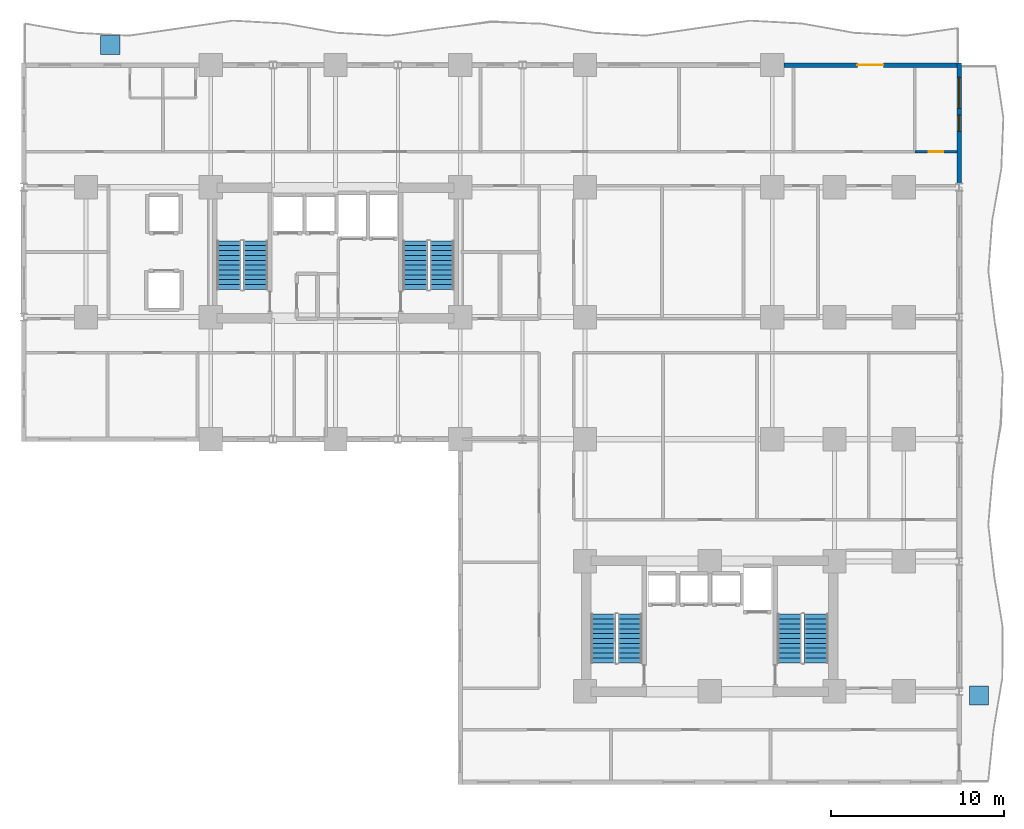
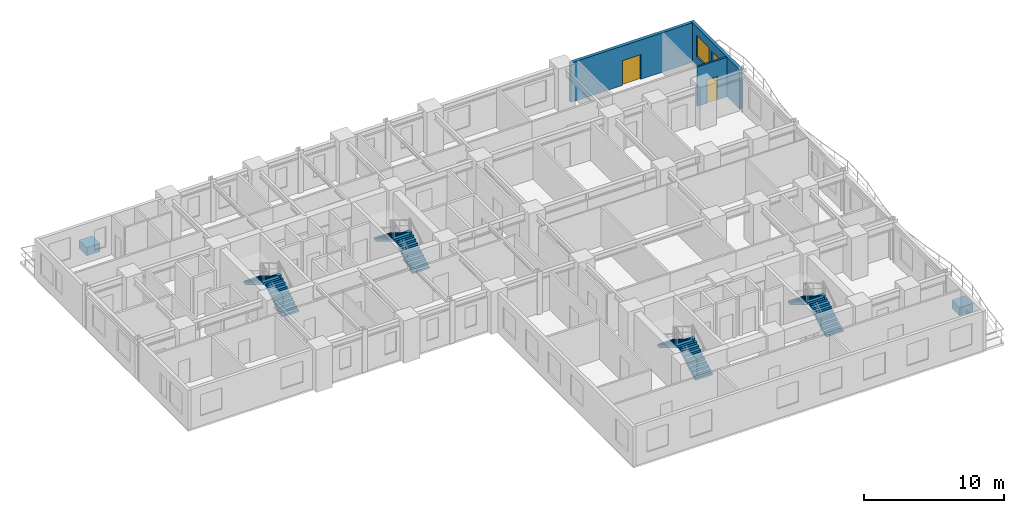
# One storey, part 8 of 11: 8 stair flights, 3 walls, 2 discrete accessories, 2 doors, 2 windows, 4 openings, 4 elements without a shape of their own.
"""IFC4 building model written with IfcOpenShell, lengths in metres."""

from ifc_helpers import new_model, si_unit, direction, frame, frame_2d, origin, origin_2d, place, context, subcontext, project, spatial, polyline, rectangle, outline, extrude, source, transform, mapped, material, layer, layer_set, type_object, element, fill, aggregate, save


model = new_model("IFC4")

# Units and contexts
model_context = context("Model", 3, precision=1e-05, world=origin(), true_north=direction((0.0, 1.0)))
body_context = subcontext(model_context, "Body", "Model", "MODEL_VIEW")
ifc_project = project(units=[si_unit("LENGTHUNIT", "METRE"), si_unit("AREAUNIT", "SQUARE_METRE"), si_unit("VOLUMEUNIT", "CUBIC_METRE"), si_unit("PLANEANGLEUNIT", "RADIAN"), si_unit("MASSUNIT", "GRAM", prefix="KILO")], contexts=[model_context])

# Site, building, storey
site_placement = place(None, origin())
site = spatial("IfcSite", under=ifc_project, at=site_placement, CompositionType="ELEMENT")
building_placement = place(site_placement, origin())
building = spatial("IfcBuilding", under=site, at=building_placement, Name="Kaliganga Portal Commons", CompositionType="ELEMENT")
storey_placement = place(building_placement, frame((0.0, 0.0, 40.10009765625)))
storey = spatial("IfcBuildingStorey", under=building, at=storey_placement, Name="L09", CompositionType="ELEMENT", Elevation=40.10009765625)

# Wall, openings, windows
ifc_material_1 = material(Name="Insulated Aluminium-Clad Spandrel Assembly", Category="aluminium")
ifc_layer_1 = layer(ifc_material_1, 0.260009765625)
ifc_layer_set_1 = layer_set([ifc_layer_1], Name="Insulated Aluminium-Clad Spandrel Assembly")
wall_type_1 = type_object("IfcWallType", Name="WL-EXT-SPAND-260", PredefinedType="STANDARD", material=ifc_layer_set_1)
wall_1_placement = place(storey_placement, frame((57.60009765625, 43.330078125, 0.0), z_axis=(0.0, 0.0, 1.0), x_axis=(0.0, -1.0, 0.0)))
wall_1 = element("IfcWall", 1, at=wall_1_placement, inside=storey, type_object=wall_type_1, Name="Exterior Envelope Wall L09 P1-E01-S6", PredefinedType="STANDARD", context=body_context, shape_type="SweptSolid", body=[
    extrude(rectangle(XDim=6.9560546875, YDim=0.260009765625, at=frame_2d((3.47802734375, 0.0))), origin(), (0.0, 0.0, 1.0), 3.429931640625),
])
opening_1_placement = place(wall_1_placement, frame((0.839111328125, 0.0, 0.85009765625)))
opening_1 = element("IfcOpeningElement", 2, at=opening_1_placement, cuts=wall_1, Name="Opening W-01", PredefinedType="OPENING", context=body_context, shape_type="SweptSolid", body=[
    extrude(rectangle(XDim=1.800048828125, YDim=1.85009765625, at=frame_2d((0.89990234375, 0.925048828125))), frame((0.0, 0.14013671875, 0.0), z_axis=(0.0, -1.0, 0.0), x_axis=(1.0, 0.0, 0.0)), (0.0, 0.0, 1.0), 0.280029296875),
])
opening_2_placement = place(wall_1_placement, frame((3.0029296875, 0.0, 0.85009765625)))
opening_2 = element("IfcOpeningElement", 3, at=opening_2_placement, cuts=wall_1, Name="Opening W-04", PredefinedType="OPENING", context=body_context, shape_type="SweptSolid", body=[
    extrude(rectangle(XDim=0.949951171875, YDim=1.75, at=frame_2d((0.47509765625, 0.875))), frame((0.0, 0.14013671875, 0.0), z_axis=(0.0, -1.0, 0.0), x_axis=(1.0, 0.0, 0.0)), (0.0, 0.0, 1.0), 0.280029296875),
])
ifc_material_2 = material(Name="Thermally Broken Aluminium and Low-E Double Glazing", Category="aluminium")
window_type_1 = type_object("IfcWindowType", Name="WIN-NARROW-950", PartitioningType="SINGLE_PANEL", PredefinedType="WINDOW", material=ifc_material_2)
window_1_placement = place(opening_2_placement, origin())
window_1 = element("IfcWindow", 4, at=window_1_placement, inside=storey, type_object=window_type_1, Name="Facade Window L09-P1E01S6-N0", OverallHeight=1.75, OverallWidth=0.949951171875, PartitioningType="SINGLE_PANEL", PredefinedType="WINDOW", context=body_context, shape_type="SweptSolid", body=[
    extrude(rectangle(XDim=0.949951171875, YDim=1.75, at=frame_2d((0.47509765625, 0.875))), frame((0.0, 0.030029296875, 0.0), z_axis=(0.0, -1.0, 0.0), x_axis=(1.0, 0.0, 0.0)), (0.0, 0.0, 1.0), 0.06005859375),
])
fill(opening_2, window_1)
window_type_2 = type_object("IfcWindowType", Name="WIN-STD-1800", PartitioningType="DOUBLE_PANEL_VERTICAL", PredefinedType="WINDOW", material=ifc_material_2)
window_2_placement = place(opening_1_placement, origin())
window_2 = element("IfcWindow", 5, at=window_2_placement, inside=storey, type_object=window_type_2, Name="Facade Window L09-P1E01S6-00", OverallHeight=1.85009765625, OverallWidth=1.800048828125, PartitioningType="SINGLE_PANEL", PredefinedType="WINDOW", context=body_context, shape_type="SweptSolid", body=[
    extrude(rectangle(XDim=1.800048828125, YDim=1.85009765625, at=frame_2d((0.89990234375, 0.925048828125))), frame((0.0, 0.030029296875, 0.0), z_axis=(0.0, -1.0, 0.0), x_axis=(1.0, 0.0, 0.0)), (0.0, 0.0, 1.0), 0.06005859375),
])
fill(opening_1, window_2)

# Wall, opening, door
wall_2_placement = place(storey_placement, frame((47.47607421875, 43.199951171875, 0.0), z_axis=(0.0, 0.0, 1.0), x_axis=(1.0, 0.0, 0.0)))
wall_2 = element("IfcWall", 6, at=wall_2_placement, inside=storey, type_object=wall_type_1, Name="Exterior Envelope Wall L09 P1-E02-S1", PredefinedType="STANDARD", context=body_context, shape_type="SweptSolid", body=[
    extrude(rectangle(XDim=9.989013671875, YDim=0.260009765625, at=frame_2d((4.99462890625, 0.0))), origin(), (0.0, 0.0, 1.0), 3.429931640625),
])
opening_3_placement = place(wall_2_placement, frame((4.2451171875, 0.0, 0.0)))
opening_3 = element("IfcOpeningElement", 7, at=opening_3_placement, cuts=wall_2, Name="Opening BD-01", PredefinedType="OPENING", context=body_context, shape_type="SweptSolid", body=[
    extrude(rectangle(XDim=1.5, YDim=2.14990234375, at=frame_2d((0.75, 1.074951171875))), frame((0.0, 0.14013671875, 0.0), z_axis=(0.0, -1.0, 0.0), x_axis=(1.0, 0.0, 0.0)), (0.0, 0.0, 1.0), 0.280029296875),
])
ifc_material_3 = material(Name="Anodized Aluminium and Laminated Safety Glass", Category="aluminium")
door_type_1 = type_object("IfcDoorType", Name="DR-BALC-1500", OperationType="SLIDING_TO_LEFT", PredefinedType="DOOR", material=ifc_material_3)
door_1_placement = place(opening_3_placement, origin())
door_1 = element("IfcDoor", 8, at=door_1_placement, inside=storey, type_object=door_type_1, Name="Balcony Sliding Door L09 balc_north", OperationType="SLIDING_TO_LEFT", OverallHeight=2.14990234375, OverallWidth=1.5, PredefinedType="DOOR", context=body_context, shape_type="SweptSolid", body=[
    extrude(rectangle(XDim=1.5, YDim=2.14990234375, at=frame_2d((0.75, 1.074951171875))), frame((0.0, 0.02490234375, 0.0), z_axis=(0.0, -1.0, 0.0), x_axis=(1.0, 0.0, 0.0)), (0.0, 0.0, 1.0), 0.050048828125),
])
fill(opening_3, door_1)

ifc_material_4 = material(Name="Fire-Rated Gypsum Board on Steel Stud", Category="steel")
ifc_layer_2 = layer(ifc_material_4, 0.14990234375)
ifc_layer_set_2 = layer_set([ifc_layer_2], Name="Fire-Rated Gypsum Board on Steel Stud")
wall_type_2 = type_object("IfcWallType", Name="WL-PART-CORR-150", PredefinedType="PARTITIONING", material=ifc_layer_set_2)
wall_3_placement = place(storey_placement, frame((55.0400390625, 38.199951171875, 0.0), z_axis=(0.0, 0.0, 1.0), x_axis=(1.0, 0.0, 0.0)))
wall_3 = element("IfcWall", 9, at=wall_3_placement, inside=storey, type_object=wall_type_2, Name="Interior Partition L09-051", PredefinedType="PARTITIONING", context=body_context, shape_type="SweptSolid", body=[
    extrude(rectangle(XDim=2.427978515625, YDim=0.14990234375, at=frame_2d((1.2138671875, 0.0))), origin(), (0.0, 0.0, 1.0), 3.429931640625),
])
opening_4_placement = place(wall_3_placement, frame((0.7890625, 0.0, 0.0)))
opening_4 = element("IfcOpeningElement", 10, at=opening_4_placement, cuts=wall_3, Name="Opening WD-01", PredefinedType="OPENING", context=body_context, shape_type="SweptSolid", body=[
    extrude(rectangle(XDim=0.85009765625, YDim=2.0400390625, at=frame_2d((0.425048828125, 1.02001953125))), frame((0.0, 0.0849609375, 0.0), z_axis=(0.0, -1.0, 0.0), x_axis=(1.0, 0.0, 0.0)), (0.0, 0.0, 1.0), 0.169921875),
])
ifc_material_5 = material(Name="Moisture-Resistant Laminate Timber Door", Category="wood")
door_type_2 = type_object("IfcDoorType", Name="DR-WET-850", OperationType="NOTDEFINED", PredefinedType="DOOR", material=ifc_material_5)
door_2_placement = place(opening_4_placement, origin())
door_2 = element("IfcDoor", 11, at=door_2_placement, inside=storey, type_object=door_type_2, Name="Interior Door L09-AN07", OperationType="SINGLE_SWING_RIGHT", OverallHeight=2.0400390625, OverallWidth=0.85009765625, PredefinedType="DOOR", context=body_context, shape_type="SweptSolid", body=[
    extrude(rectangle(XDim=0.85009765625, YDim=2.0400390625, at=frame_2d((0.425048828125, 1.02001953125))), frame((0.0, 0.02490234375, 0.0), z_axis=(0.0, -1.0, 0.0), x_axis=(1.0, 0.0, 0.0)), (0.0, 0.0, 1.0), 0.050048828125),
])
fill(opening_4, door_2)

# Stair, stair flights
ifc_material_6 = material(Name="Concrete C40/50", Category="concrete")
stair_type = type_object("IfcStairType", Name="ST-CORE-DOGLEG", PredefinedType="HALF_TURN_STAIR", material=ifc_material_6)
stair_1_placement = place(storey_placement, origin())
stair_1 = element("IfcStair", 12, at=stair_1_placement, inside=storey, type_object=stair_type, Name="L09 Protected Exit Stair ST-A1", PredefinedType="HALF_TURN_STAIR")
stair_flight_type = type_object("IfcStairFlightType", Name="STF-RC-1400", PredefinedType="STRAIGHT", material=ifc_material_6)
stair_flight_1_placement = place(storey_placement, frame((17.0, 30.25, 0.0), z_axis=(0.0, 0.0, 1.0), x_axis=(0.0, 1.0, 0.0)))
stair_flight_1 = element("IfcStairFlight", 13, at=stair_flight_1_placement, type_object=stair_flight_type, Name="ST-A1 flight 1", NumberOfRisers=11, NumberOfTreads=10, PredefinedType="STRAIGHT", RiserHeight=0.168181818, TreadLength=0.28, context=body_context, shape_type="SweptSolid", body=[
    extrude(outline(polyline([(0.0, 0.0), (0.0, 0.168212890625), (0.280029296875, 0.168212890625), (0.280029296875, 0.33642578125), (0.56005859375, 0.33642578125), (0.56005859375, 0.504638671875), (0.840087890625, 0.504638671875), (0.840087890625, 0.672607421875), (1.1201171875, 0.672607421875), (1.1201171875, 0.8408203125), (1.39990234375, 0.8408203125), (1.39990234375, 1.009033203125), (1.679931640625, 1.009033203125), (1.679931640625, 1.17724609375), (1.9599609375, 1.17724609375), (1.9599609375, 1.345458984375), (2.239990234375, 1.345458984375), (2.239990234375, 1.513671875), (2.52001953125, 1.513671875), (2.52001953125, 1.681884765625), (2.800048828125, 1.681884765625), (2.800048828125, 1.85009765625), (2.800048828125, 1.5068359375), (0.291015625, 0.0), (0.0, 0.0)])), frame((0.0, 0.699951171875, 0.0), z_axis=(0.0, -1.0, 0.0), x_axis=(1.0, 0.0, 0.0)), (0.0, 0.0, 1.0), 1.39990234375),
])
stair_flight_2_placement = place(storey_placement, frame((15.449951171875, 33.050048828125, 1.849853515625), z_axis=(0.0, 0.0, 1.0), x_axis=(0.0, -1.0, 0.0)))
stair_flight_2 = element("IfcStairFlight", 14, at=stair_flight_2_placement, type_object=stair_flight_type, Name="ST-A1 flight 2", NumberOfRisers=11, NumberOfTreads=10, PredefinedType="STRAIGHT", RiserHeight=0.168181818, TreadLength=0.28, context=body_context, shape_type="SweptSolid", body=[
    extrude(outline(polyline([(0.0, 0.0), (0.0, 0.168212890625), (0.280029296875, 0.168212890625), (0.280029296875, 0.33642578125), (0.56005859375, 0.33642578125), (0.56005859375, 0.504638671875), (0.840087890625, 0.504638671875), (0.840087890625, 0.672607421875), (1.1201171875, 0.672607421875), (1.1201171875, 0.8408203125), (1.39990234375, 0.8408203125), (1.39990234375, 1.009033203125), (1.679931640625, 1.009033203125), (1.679931640625, 1.17724609375), (1.9599609375, 1.17724609375), (1.9599609375, 1.345458984375), (2.239990234375, 1.345458984375), (2.239990234375, 1.513671875), (2.52001953125, 1.513671875), (2.52001953125, 1.681884765625), (2.800048828125, 1.681884765625), (2.800048828125, 1.85009765625), (2.800048828125, 1.5068359375), (0.291015625, 0.0), (0.0, 0.0)])), frame((0.0, 0.699951171875, 0.0), z_axis=(0.0, -1.0, 0.0), x_axis=(1.0, 0.0, 0.0)), (0.0, 0.0, 1.0), 1.39990234375),
])
aggregate(stair_1, [stair_flight_1, stair_flight_2])

stair_2_placement = place(storey_placement, origin())
stair_2 = element("IfcStair", 15, at=stair_2_placement, inside=storey, type_object=stair_type, Name="L09 Protected Exit Stair ST-A2", PredefinedType="HALF_TURN_STAIR")
stair_flight_3_placement = place(storey_placement, frame((27.75, 30.25, 0.0), z_axis=(0.0, 0.0, 1.0), x_axis=(0.0, 1.0, 0.0)))
stair_flight_3 = element("IfcStairFlight", 16, at=stair_flight_3_placement, type_object=stair_flight_type, Name="ST-A2 flight 1", NumberOfRisers=11, NumberOfTreads=10, PredefinedType="STRAIGHT", RiserHeight=0.168181818, TreadLength=0.28, context=body_context, shape_type="SweptSolid", body=[
    extrude(outline(polyline([(0.0, 0.0), (0.0, 0.168212890625), (0.280029296875, 0.168212890625), (0.280029296875, 0.33642578125), (0.56005859375, 0.33642578125), (0.56005859375, 0.504638671875), (0.840087890625, 0.504638671875), (0.840087890625, 0.672607421875), (1.1201171875, 0.672607421875), (1.1201171875, 0.8408203125), (1.39990234375, 0.8408203125), (1.39990234375, 1.009033203125), (1.679931640625, 1.009033203125), (1.679931640625, 1.17724609375), (1.9599609375, 1.17724609375), (1.9599609375, 1.345458984375), (2.239990234375, 1.345458984375), (2.239990234375, 1.513671875), (2.52001953125, 1.513671875), (2.52001953125, 1.681884765625), (2.800048828125, 1.681884765625), (2.800048828125, 1.85009765625), (2.800048828125, 1.5068359375), (0.291015625, 0.0), (0.0, 0.0)])), frame((0.0, 0.699951171875, 0.0), z_axis=(0.0, -1.0, 0.0), x_axis=(1.0, 0.0, 0.0)), (0.0, 0.0, 1.0), 1.39990234375),
])
stair_flight_4_placement = place(storey_placement, frame((26.199951171875, 33.050048828125, 1.849853515625), z_axis=(0.0, 0.0, 1.0), x_axis=(0.0, -1.0, 0.0)))
stair_flight_4 = element("IfcStairFlight", 17, at=stair_flight_4_placement, type_object=stair_flight_type, Name="ST-A2 flight 2", NumberOfRisers=11, NumberOfTreads=10, PredefinedType="STRAIGHT", RiserHeight=0.168181818, TreadLength=0.28, context=body_context, shape_type="SweptSolid", body=[
    extrude(outline(polyline([(0.0, 0.0), (0.0, 0.168212890625), (0.280029296875, 0.168212890625), (0.280029296875, 0.33642578125), (0.56005859375, 0.33642578125), (0.56005859375, 0.504638671875), (0.840087890625, 0.504638671875), (0.840087890625, 0.672607421875), (1.1201171875, 0.672607421875), (1.1201171875, 0.8408203125), (1.39990234375, 0.8408203125), (1.39990234375, 1.009033203125), (1.679931640625, 1.009033203125), (1.679931640625, 1.17724609375), (1.9599609375, 1.17724609375), (1.9599609375, 1.345458984375), (2.239990234375, 1.345458984375), (2.239990234375, 1.513671875), (2.52001953125, 1.513671875), (2.52001953125, 1.681884765625), (2.800048828125, 1.681884765625), (2.800048828125, 1.85009765625), (2.800048828125, 1.5068359375), (0.291015625, 0.0), (0.0, 0.0)])), frame((0.0, 0.699951171875, 0.0), z_axis=(0.0, -1.0, 0.0), x_axis=(1.0, 0.0, 0.0)), (0.0, 0.0, 1.0), 1.39990234375),
])
aggregate(stair_2, [stair_flight_3, stair_flight_4])

stair_3_placement = place(storey_placement, origin())
stair_3 = element("IfcStair", 18, at=stair_3_placement, inside=storey, type_object=stair_type, Name="L09 Protected Exit Stair ST-B1", PredefinedType="HALF_TURN_STAIR")
stair_flight_5_placement = place(storey_placement, frame((38.60009765625, 8.699951171875, 0.0), z_axis=(0.0, 0.0, 1.0), x_axis=(0.0, 1.0, 0.0)))
stair_flight_5 = element("IfcStairFlight", 19, at=stair_flight_5_placement, type_object=stair_flight_type, Name="ST-B1 flight 1", NumberOfRisers=11, NumberOfTreads=10, PredefinedType="STRAIGHT", RiserHeight=0.168181818, TreadLength=0.28, context=body_context, shape_type="SweptSolid", body=[
    extrude(outline(polyline([(0.0, 0.0), (0.0, 0.168212890625), (0.280029296875, 0.168212890625), (0.280029296875, 0.33642578125), (0.56005859375, 0.33642578125), (0.56005859375, 0.504638671875), (0.840087890625, 0.504638671875), (0.840087890625, 0.672607421875), (1.1201171875, 0.672607421875), (1.1201171875, 0.8408203125), (1.39990234375, 0.8408203125), (1.39990234375, 1.009033203125), (1.679931640625, 1.009033203125), (1.679931640625, 1.17724609375), (1.9599609375, 1.17724609375), (1.9599609375, 1.345458984375), (2.239990234375, 1.345458984375), (2.239990234375, 1.513671875), (2.52001953125, 1.513671875), (2.52001953125, 1.681884765625), (2.800048828125, 1.681884765625), (2.800048828125, 1.85009765625), (2.800048828125, 1.5068359375), (0.291015625, 0.0), (0.0, 0.0)])), frame((0.0, 0.699951171875, 0.0), z_axis=(0.0, -1.0, 0.0), x_axis=(1.0, 0.0, 0.0)), (0.0, 0.0, 1.0), 1.39990234375),
])
stair_flight_6_placement = place(storey_placement, frame((37.050048828125, 11.5, 1.849853515625), z_axis=(0.0, 0.0, 1.0), x_axis=(0.0, -1.0, 0.0)))
stair_flight_6 = element("IfcStairFlight", 20, at=stair_flight_6_placement, type_object=stair_flight_type, Name="ST-B1 flight 2", NumberOfRisers=11, NumberOfTreads=10, PredefinedType="STRAIGHT", RiserHeight=0.168181818, TreadLength=0.28, context=body_context, shape_type="SweptSolid", body=[
    extrude(outline(polyline([(0.0, 0.0), (0.0, 0.168212890625), (0.280029296875, 0.168212890625), (0.280029296875, 0.33642578125), (0.56005859375, 0.33642578125), (0.56005859375, 0.504638671875), (0.840087890625, 0.504638671875), (0.840087890625, 0.672607421875), (1.1201171875, 0.672607421875), (1.1201171875, 0.8408203125), (1.39990234375, 0.8408203125), (1.39990234375, 1.009033203125), (1.679931640625, 1.009033203125), (1.679931640625, 1.17724609375), (1.9599609375, 1.17724609375), (1.9599609375, 1.345458984375), (2.239990234375, 1.345458984375), (2.239990234375, 1.513671875), (2.52001953125, 1.513671875), (2.52001953125, 1.681884765625), (2.800048828125, 1.681884765625), (2.800048828125, 1.85009765625), (2.800048828125, 1.5068359375), (0.291015625, 0.0), (0.0, 0.0)])), frame((0.0, 0.699951171875, 0.0), z_axis=(0.0, -1.0, 0.0), x_axis=(1.0, 0.0, 0.0)), (0.0, 0.0, 1.0), 1.39990234375),
])
aggregate(stair_3, [stair_flight_5, stair_flight_6])

stair_4_placement = place(storey_placement, origin())
stair_4 = element("IfcStair", 21, at=stair_4_placement, inside=storey, type_object=stair_type, Name="L09 Protected Exit Stair ST-B2", PredefinedType="HALF_TURN_STAIR")
stair_flight_7_placement = place(storey_placement, frame((49.35009765625, 8.699951171875, 0.0), z_axis=(0.0, 0.0, 1.0), x_axis=(0.0, 1.0, 0.0)))
stair_flight_7 = element("IfcStairFlight", 22, at=stair_flight_7_placement, type_object=stair_flight_type, Name="ST-B2 flight 1", NumberOfRisers=11, NumberOfTreads=10, PredefinedType="STRAIGHT", RiserHeight=0.168181818, TreadLength=0.28, context=body_context, shape_type="SweptSolid", body=[
    extrude(outline(polyline([(0.0, 0.0), (0.0, 0.168212890625), (0.280029296875, 0.168212890625), (0.280029296875, 0.33642578125), (0.56005859375, 0.33642578125), (0.56005859375, 0.504638671875), (0.840087890625, 0.504638671875), (0.840087890625, 0.672607421875), (1.1201171875, 0.672607421875), (1.1201171875, 0.8408203125), (1.39990234375, 0.8408203125), (1.39990234375, 1.009033203125), (1.679931640625, 1.009033203125), (1.679931640625, 1.17724609375), (1.9599609375, 1.17724609375), (1.9599609375, 1.345458984375), (2.239990234375, 1.345458984375), (2.239990234375, 1.513671875), (2.52001953125, 1.513671875), (2.52001953125, 1.681884765625), (2.800048828125, 1.681884765625), (2.800048828125, 1.85009765625), (2.800048828125, 1.5068359375), (0.291015625, 0.0), (0.0, 0.0)])), frame((0.0, 0.699951171875, 0.0), z_axis=(0.0, -1.0, 0.0), x_axis=(1.0, 0.0, 0.0)), (0.0, 0.0, 1.0), 1.39990234375),
])
stair_flight_8_placement = place(storey_placement, frame((47.800048828125, 11.5, 1.849853515625), z_axis=(0.0, 0.0, 1.0), x_axis=(0.0, -1.0, 0.0)))
stair_flight_8 = element("IfcStairFlight", 23, at=stair_flight_8_placement, type_object=stair_flight_type, Name="ST-B2 flight 2", NumberOfRisers=11, NumberOfTreads=10, PredefinedType="STRAIGHT", RiserHeight=0.168181818, TreadLength=0.28, context=body_context, shape_type="SweptSolid", body=[
    extrude(outline(polyline([(0.0, 0.0), (0.0, 0.168212890625), (0.280029296875, 0.168212890625), (0.280029296875, 0.33642578125), (0.56005859375, 0.33642578125), (0.56005859375, 0.504638671875), (0.840087890625, 0.504638671875), (0.840087890625, 0.672607421875), (1.1201171875, 0.672607421875), (1.1201171875, 0.8408203125), (1.39990234375, 0.8408203125), (1.39990234375, 1.009033203125), (1.679931640625, 1.009033203125), (1.679931640625, 1.17724609375), (1.9599609375, 1.17724609375), (1.9599609375, 1.345458984375), (2.239990234375, 1.345458984375), (2.239990234375, 1.513671875), (2.52001953125, 1.513671875), (2.52001953125, 1.681884765625), (2.800048828125, 1.681884765625), (2.800048828125, 1.85009765625), (2.800048828125, 1.5068359375), (0.291015625, 0.0), (0.0, 0.0)])), frame((0.0, 0.699951171875, 0.0), z_axis=(0.0, -1.0, 0.0), x_axis=(1.0, 0.0, 0.0)), (0.0, 0.0, 1.0), 1.39990234375),
])
aggregate(stair_4, [stair_flight_7, stair_flight_8])

# Discrete accessories
ifc_material_7 = material(Name="Precast concrete C40/50", Category="concrete")
discrete_accessory_type = type_object("IfcDiscreteAccessoryType", Name="DAC-PLANTER-RC", PredefinedType="USERDEFINED", material=ifc_material_7)
shared_shape = source(origin(), body_context, "Body", "SweptSolid", [
    extrude(rectangle(XDim=1.10009765625, YDim=1.10009765625, at=origin_2d()), origin(), (0.0, 0.0, 1.0), 0.719970703125),
])
for number, where, z_axis, x_axis, name in (
    (24, (8.60009765625, 44.35009765625, 0.0), (0.0, 0.0, 1.0), (1.0, 0.0, 0.0), "Structural Tree Planter L09 balc_north"),
    (25, (58.75, 6.800048828125, 0.0), (0.0, 0.0, 1.0), (1.0, 0.0, 0.0), "Structural Tree Planter L09 balc_east"),
):
    element("IfcDiscreteAccessory", number, at=place(storey_placement, frame(where, z_axis=z_axis, x_axis=x_axis)), inside=storey, type_object=discrete_accessory_type, Name=name, ObjectType="PLANTER", PredefinedType="USERDEFINED", context=body_context, shape_type="MappedRepresentation", body=[
        mapped(shared_shape, transform((0.0, 0.0, 0.0), x_axis=(1.0, 0.0, 0.0), y_axis=(0.0, 1.0, 0.0), z_axis=(0.0, 0.0, 1.0), scale=1.0)),
    ])

save(model, "model.ifc")
